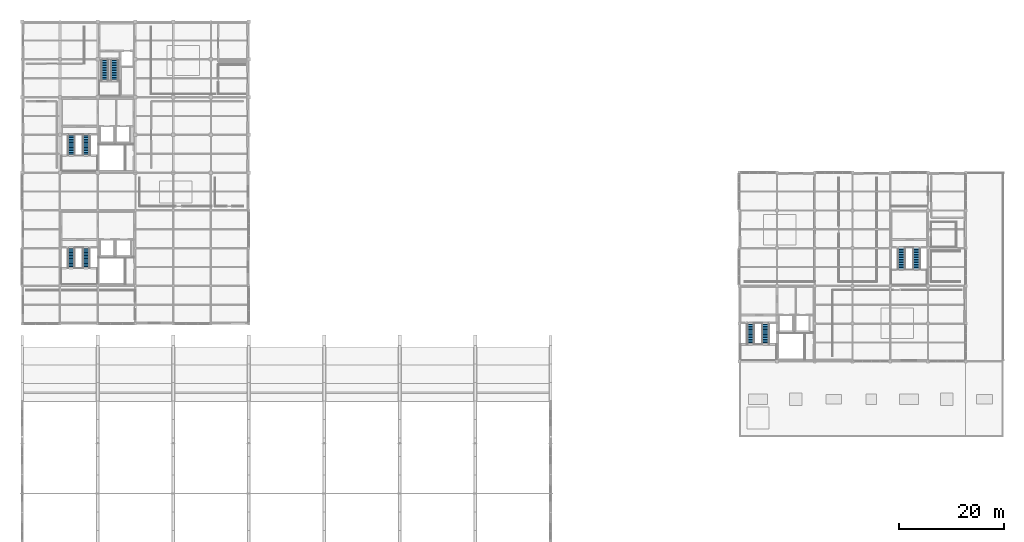
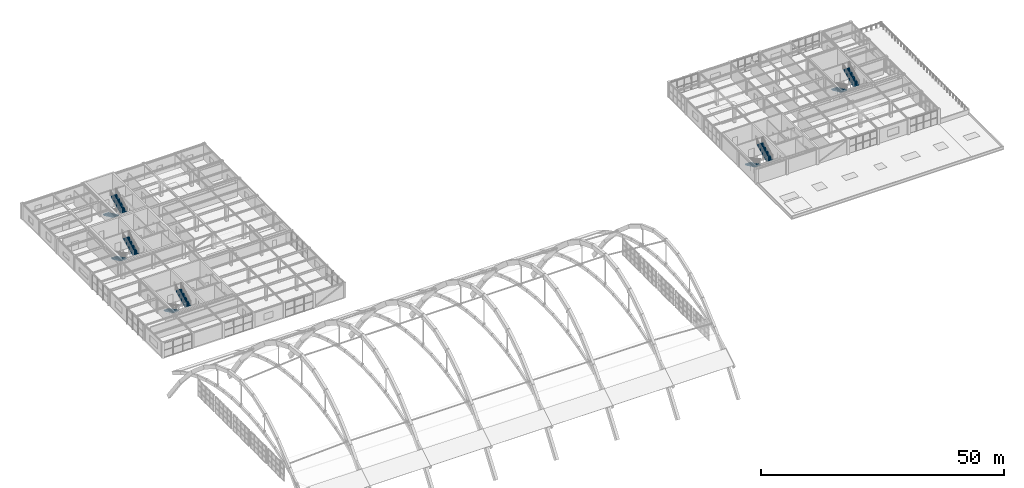
# One storey, part 61 of 64: 10 stair flights, 5 elements without a shape of their own.
"""IFC4 building model written with IfcOpenShell, lengths in metres."""

from ifc_helpers import new_model, si_unit, direction, frame, origin, place, context, subcontext, project, spatial, polyline, outline, extrude, material, layer, layer_set, type_object, element, aggregate, save


model = new_model("IFC4")

# Units and contexts
model_context = context("Model", 3, precision=1e-05, world=origin(), true_north=direction((0.0, 1.0)))
body_context = subcontext(model_context, "Body", "Model", "MODEL_VIEW")
ifc_project = project(units=[si_unit("LENGTHUNIT", "METRE"), si_unit("AREAUNIT", "SQUARE_METRE"), si_unit("VOLUMEUNIT", "CUBIC_METRE"), si_unit("PLANEANGLEUNIT", "RADIAN"), si_unit("MASSUNIT", "GRAM", prefix="KILO")], contexts=[model_context])

# Site, building, storey
site_placement = place(None, origin())
site = spatial("IfcSite", under=ifc_project, at=site_placement, CompositionType="ELEMENT")
building_placement = place(site_placement, origin())
building = spatial("IfcBuilding", under=site, at=building_placement, Name="Leyfeld Transit Interchange", CompositionType="ELEMENT")
storey_placement = place(building_placement, frame((0.0, 0.0, 9.60009765625)))
storey = spatial("IfcBuildingStorey", under=building, at=storey_placement, Name="L02", CompositionType="ELEMENT", Elevation=9.60009765625)

# Stair, stair flights
ifc_material = material(Name="Precast concrete C40/50", Category="concrete")
stair_type_1 = type_object("IfcStairType", Name="STR-HT-150x300", PredefinedType="HALF_TURN_STAIR", material=ifc_material)
stair_1_placement = place(storey_placement, origin())
stair_1 = element("IfcStair", 1, at=stair_1_placement, inside=storey, type_object=stair_type_1, Name="Exit Stair ST-03 (L02 to L03)", PredefinedType="HALF_TURN_STAIR")
ifc_layer_1 = layer(ifc_material, 0.199951171875, Name="Precast concrete C40/50")
ifc_layer_set_1 = layer_set([ifc_layer_1], Name="Precast concrete C40/50")
stair_flight_type_1 = type_object("IfcStairFlightType", Name="FLT-1350", PredefinedType="STRAIGHT", material=ifc_layer_set_1)
stair_flight_1_placement = place(storey_placement, frame((9.35009765625, 79.300048828125, 0.0), z_axis=(0.0, 0.0, 1.0), x_axis=(0.0, -1.0, 0.0)))
stair_flight_1 = element("IfcStairFlight", 2, at=stair_flight_1_placement, type_object=stair_flight_type_1, Name="Stair ST-03 L02 Flight 1", NumberOfRisers=14, NumberOfTreads=13, PredefinedType="STRAIGHT", RiserHeight=0.15, TreadLength=0.3, context=body_context, shape_type="SweptSolid", body=[
    extrude(outline(polyline([(0.0, 0.0), (0.0, 0.14990234375), (0.300048828125, 0.14990234375), (0.300048828125, 0.300048828125), (0.60009765625, 0.300048828125), (0.60009765625, 0.449951171875), (0.89990234375, 0.449951171875), (0.89990234375, 0.60009765625), (1.199951171875, 0.60009765625), (1.199951171875, 0.75), (1.5, 0.75), (1.5, 0.89990234375), (1.800048828125, 0.89990234375), (1.800048828125, 1.050048828125), (2.10009765625, 1.050048828125), (2.10009765625, 1.199951171875), (2.39990234375, 1.199951171875), (2.39990234375, 1.35009765625), (2.699951171875, 1.35009765625), (2.699951171875, 1.5), (3.0, 1.5), (3.0, 1.64990234375), (3.300048828125, 1.64990234375), (3.300048828125, 1.800048828125), (3.60009765625, 1.800048828125), (3.60009765625, 1.949951171875), (3.89990234375, 1.949951171875), (3.89990234375, 2.10009765625), (3.89990234375, 1.7265625), (0.447021484375, 0.0), (0.0, 0.0)])), frame((0.0, 0.675048828125, 0.0), z_axis=(0.0, -1.0, 0.0), x_axis=(1.0, 0.0, 0.0)), (0.0, 0.0, 1.0), 1.35009765625),
])
stair_flight_2_placement = place(storey_placement, frame((12.25, 75.39990234375, 2.099853515625), z_axis=(0.0, 0.0, 1.0), x_axis=(0.0, 1.0, 0.0)))
stair_flight_2 = element("IfcStairFlight", 3, at=stair_flight_2_placement, type_object=stair_flight_type_1, Name="Stair ST-03 L02 Flight 2", NumberOfRisers=14, NumberOfTreads=13, PredefinedType="STRAIGHT", RiserHeight=0.15, TreadLength=0.3, context=body_context, shape_type="SweptSolid", body=[
    extrude(outline(polyline([(0.0, 0.0), (0.0, 0.14990234375), (0.300048828125, 0.14990234375), (0.300048828125, 0.300048828125), (0.60009765625, 0.300048828125), (0.60009765625, 0.449951171875), (0.89990234375, 0.449951171875), (0.89990234375, 0.60009765625), (1.199951171875, 0.60009765625), (1.199951171875, 0.75), (1.5, 0.75), (1.5, 0.89990234375), (1.800048828125, 0.89990234375), (1.800048828125, 1.050048828125), (2.10009765625, 1.050048828125), (2.10009765625, 1.199951171875), (2.39990234375, 1.199951171875), (2.39990234375, 1.35009765625), (2.699951171875, 1.35009765625), (2.699951171875, 1.5), (3.0, 1.5), (3.0, 1.64990234375), (3.300048828125, 1.64990234375), (3.300048828125, 1.800048828125), (3.60009765625, 1.800048828125), (3.60009765625, 1.949951171875), (3.89990234375, 1.949951171875), (3.89990234375, 2.10009765625), (3.89990234375, 1.7265625), (0.447021484375, 0.0), (0.0, 0.0)])), frame((0.0, 0.675048828125, 0.0), z_axis=(0.0, -1.0, 0.0), x_axis=(1.0, 0.0, 0.0)), (0.0, 0.0, 1.0), 1.35009765625),
])
aggregate(stair_1, [stair_flight_1, stair_flight_2])

stair_type_2 = type_object("IfcStairType", Name="STR-HT-150x310", PredefinedType="HALF_TURN_STAIR", material=ifc_material)
stair_2_placement = place(storey_placement, origin())
stair_2 = element("IfcStair", 4, at=stair_2_placement, inside=storey, type_object=stair_type_2, Name="Exit Stair ST-01 (L02 to L03)", PredefinedType="HALF_TURN_STAIR")
ifc_layer_2 = layer(ifc_material, 0.199951171875, Name="Precast concrete C40/50")
ifc_layer_set_2 = layer_set([ifc_layer_2], Name="Precast concrete C40/50")
stair_flight_type_2 = type_object("IfcStairFlightType", Name="FLT-1400", PredefinedType="STRAIGHT", material=ifc_layer_set_2)
stair_flight_3_placement = place(storey_placement, frame((9.35009765625, 100.89990234375, 0.0), z_axis=(0.0, 0.0, 1.0), x_axis=(0.0, -1.0, 0.0)))
stair_flight_3 = element("IfcStairFlight", 5, at=stair_flight_3_placement, type_object=stair_flight_type_2, Name="Stair ST-01 L02 Flight 1", NumberOfRisers=14, NumberOfTreads=13, PredefinedType="STRAIGHT", RiserHeight=0.15, TreadLength=0.31, context=body_context, shape_type="SweptSolid", body=[
    extrude(outline(polyline([(0.0, 0.0), (0.0, 0.14990234375), (0.31005859375, 0.14990234375), (0.31005859375, 0.300048828125), (0.6201171875, 0.300048828125), (0.6201171875, 0.449951171875), (0.929931640625, 0.449951171875), (0.929931640625, 0.60009765625), (1.239990234375, 0.60009765625), (1.239990234375, 0.75), (1.550048828125, 0.75), (1.550048828125, 0.89990234375), (1.860107421875, 0.89990234375), (1.860107421875, 1.050048828125), (2.169921875, 1.050048828125), (2.169921875, 1.199951171875), (2.47998046875, 1.199951171875), (2.47998046875, 1.35009765625), (2.7900390625, 1.35009765625), (2.7900390625, 1.5), (3.10009765625, 1.5), (3.10009765625, 1.64990234375), (3.409912109375, 1.64990234375), (3.409912109375, 1.800048828125), (3.719970703125, 1.800048828125), (3.719970703125, 1.949951171875), (4.030029296875, 1.949951171875), (4.030029296875, 2.10009765625), (4.030029296875, 1.727783203125), (0.458984375, 0.0), (0.0, 0.0)])), frame((0.0, 0.699951171875, 0.0), z_axis=(0.0, -1.0, 0.0), x_axis=(1.0, 0.0, 0.0)), (0.0, 0.0, 1.0), 1.39990234375),
])
stair_flight_4_placement = place(storey_placement, frame((12.25, 96.8701171875, 2.099853515625), z_axis=(0.0, 0.0, 1.0), x_axis=(0.0, 1.0, 0.0)))
stair_flight_4 = element("IfcStairFlight", 6, at=stair_flight_4_placement, type_object=stair_flight_type_2, Name="Stair ST-01 L02 Flight 2", NumberOfRisers=14, NumberOfTreads=13, PredefinedType="STRAIGHT", RiserHeight=0.15, TreadLength=0.31, context=body_context, shape_type="SweptSolid", body=[
    extrude(outline(polyline([(0.0, 0.0), (0.0, 0.14990234375), (0.31005859375, 0.14990234375), (0.31005859375, 0.300048828125), (0.6201171875, 0.300048828125), (0.6201171875, 0.449951171875), (0.929931640625, 0.449951171875), (0.929931640625, 0.60009765625), (1.239990234375, 0.60009765625), (1.239990234375, 0.75), (1.550048828125, 0.75), (1.550048828125, 0.89990234375), (1.860107421875, 0.89990234375), (1.860107421875, 1.050048828125), (2.169921875, 1.050048828125), (2.169921875, 1.199951171875), (2.47998046875, 1.199951171875), (2.47998046875, 1.35009765625), (2.7900390625, 1.35009765625), (2.7900390625, 1.5), (3.10009765625, 1.5), (3.10009765625, 1.64990234375), (3.409912109375, 1.64990234375), (3.409912109375, 1.800048828125), (3.719970703125, 1.800048828125), (3.719970703125, 1.949951171875), (4.030029296875, 1.949951171875), (4.030029296875, 2.10009765625), (4.030029296875, 1.727783203125), (0.458984375, 0.0), (0.0, 0.0)])), frame((0.0, 0.699951171875, 0.0), z_axis=(0.0, -1.0, 0.0), x_axis=(1.0, 0.0, 0.0)), (0.0, 0.0, 1.0), 1.39990234375),
])
aggregate(stair_2, [stair_flight_3, stair_flight_4])

stair_type_3 = type_object("IfcStairType", Name="STR-HT-150x320", PredefinedType="HALF_TURN_STAIR", material=ifc_material)
stair_3_placement = place(storey_placement, origin())
stair_3 = element("IfcStair", 7, at=stair_3_placement, inside=storey, type_object=stair_type_3, Name="Exit Stair ST-02 (L02 to L03)", PredefinedType="HALF_TURN_STAIR")
stair_flight_5_placement = place(storey_placement, frame((15.719970703125, 115.300048828125, 0.0), z_axis=(0.0, 0.0, 1.0), x_axis=(0.0, -1.0, 0.0)))
stair_flight_5 = element("IfcStairFlight", 8, at=stair_flight_5_placement, type_object=stair_flight_type_2, Name="Stair ST-02 L02 Flight 1", NumberOfRisers=14, NumberOfTreads=13, PredefinedType="STRAIGHT", RiserHeight=0.15, TreadLength=0.32, context=body_context, shape_type="SweptSolid", body=[
    extrude(outline(polyline([(0.0, 0.0), (0.0, 0.14990234375), (0.320068359375, 0.14990234375), (0.320068359375, 0.300048828125), (0.639892578125, 0.300048828125), (0.639892578125, 0.449951171875), (0.9599609375, 0.449951171875), (0.9599609375, 0.60009765625), (1.280029296875, 0.60009765625), (1.280029296875, 0.75), (1.60009765625, 0.75), (1.60009765625, 0.89990234375), (1.919921875, 0.89990234375), (1.919921875, 1.050048828125), (2.239990234375, 1.050048828125), (2.239990234375, 1.199951171875), (2.56005859375, 1.199951171875), (2.56005859375, 1.35009765625), (2.8798828125, 1.35009765625), (2.8798828125, 1.5), (3.199951171875, 1.5), (3.199951171875, 1.64990234375), (3.52001953125, 1.64990234375), (3.52001953125, 1.800048828125), (3.840087890625, 1.800048828125), (3.840087890625, 1.949951171875), (4.159912109375, 1.949951171875), (4.159912109375, 2.10009765625), (4.159912109375, 1.729248046875), (0.47119140625, 0.0), (0.0, 0.0)])), frame((0.0, 0.699951171875, 0.0), z_axis=(0.0, -1.0, 0.0), x_axis=(1.0, 0.0, 0.0)), (0.0, 0.0, 1.0), 1.39990234375),
])
stair_flight_6_placement = place(storey_placement, frame((17.6201171875, 111.139892578125, 2.099853515625), z_axis=(0.0, 0.0, 1.0), x_axis=(0.0, 1.0, 0.0)))
stair_flight_6 = element("IfcStairFlight", 9, at=stair_flight_6_placement, type_object=stair_flight_type_2, Name="Stair ST-02 L02 Flight 2", NumberOfRisers=14, NumberOfTreads=13, PredefinedType="STRAIGHT", RiserHeight=0.15, TreadLength=0.32, context=body_context, shape_type="SweptSolid", body=[
    extrude(outline(polyline([(0.0, 0.0), (0.0, 0.14990234375), (0.320068359375, 0.14990234375), (0.320068359375, 0.300048828125), (0.639892578125, 0.300048828125), (0.639892578125, 0.449951171875), (0.9599609375, 0.449951171875), (0.9599609375, 0.60009765625), (1.280029296875, 0.60009765625), (1.280029296875, 0.75), (1.60009765625, 0.75), (1.60009765625, 0.89990234375), (1.919921875, 0.89990234375), (1.919921875, 1.050048828125), (2.239990234375, 1.050048828125), (2.239990234375, 1.199951171875), (2.56005859375, 1.199951171875), (2.56005859375, 1.35009765625), (2.8798828125, 1.35009765625), (2.8798828125, 1.5), (3.199951171875, 1.5), (3.199951171875, 1.64990234375), (3.52001953125, 1.64990234375), (3.52001953125, 1.800048828125), (3.840087890625, 1.800048828125), (3.840087890625, 1.949951171875), (4.159912109375, 1.949951171875), (4.159912109375, 2.10009765625), (4.159912109375, 1.729248046875), (0.47119140625, 0.0), (0.0, 0.0)])), frame((0.0, 0.699951171875, 0.0), z_axis=(0.0, -1.0, 0.0), x_axis=(1.0, 0.0, 0.0)), (0.0, 0.0, 1.0), 1.39990234375),
])
aggregate(stair_3, [stair_flight_5, stair_flight_6])

stair_4_placement = place(storey_placement, origin())
stair_4 = element("IfcStair", 10, at=stair_4_placement, inside=storey, type_object=stair_type_2, Name="Exit Stair ST-04 (L02 to L03)", PredefinedType="HALF_TURN_STAIR")
stair_flight_7_placement = place(storey_placement, frame((138.949951171875, 64.89990234375, 0.0), z_axis=(0.0, 0.0, 1.0), x_axis=(0.0, -1.0, 0.0)))
stair_flight_7 = element("IfcStairFlight", 11, at=stair_flight_7_placement, type_object=stair_flight_type_2, Name="Stair ST-04 L02 Flight 1", NumberOfRisers=14, NumberOfTreads=13, PredefinedType="STRAIGHT", RiserHeight=0.15, TreadLength=0.31, context=body_context, shape_type="SweptSolid", body=[
    extrude(outline(polyline([(0.0, 0.0), (0.0, 0.14990234375), (0.31005859375, 0.14990234375), (0.31005859375, 0.300048828125), (0.6201171875, 0.300048828125), (0.6201171875, 0.449951171875), (0.929931640625, 0.449951171875), (0.929931640625, 0.60009765625), (1.239990234375, 0.60009765625), (1.239990234375, 0.75), (1.550048828125, 0.75), (1.550048828125, 0.89990234375), (1.860107421875, 0.89990234375), (1.860107421875, 1.050048828125), (2.169921875, 1.050048828125), (2.169921875, 1.199951171875), (2.47998046875, 1.199951171875), (2.47998046875, 1.35009765625), (2.7900390625, 1.35009765625), (2.7900390625, 1.5), (3.10009765625, 1.5), (3.10009765625, 1.64990234375), (3.409912109375, 1.64990234375), (3.409912109375, 1.800048828125), (3.719970703125, 1.800048828125), (3.719970703125, 1.949951171875), (4.030029296875, 1.949951171875), (4.030029296875, 2.10009765625), (4.030029296875, 1.727783203125), (0.458984375, 0.0), (0.0, 0.0)])), frame((0.0, 0.699951171875, 0.0), z_axis=(0.0, -1.0, 0.0), x_axis=(1.0, 0.0, 0.0)), (0.0, 0.0, 1.0), 1.39990234375),
])
stair_flight_8_placement = place(storey_placement, frame((141.85009765625, 60.8701171875, 2.099853515625), z_axis=(0.0, 0.0, 1.0), x_axis=(0.0, 1.0, 0.0)))
stair_flight_8 = element("IfcStairFlight", 12, at=stair_flight_8_placement, type_object=stair_flight_type_2, Name="Stair ST-04 L02 Flight 2", NumberOfRisers=14, NumberOfTreads=13, PredefinedType="STRAIGHT", RiserHeight=0.15, TreadLength=0.31, context=body_context, shape_type="SweptSolid", body=[
    extrude(outline(polyline([(0.0, 0.0), (0.0, 0.14990234375), (0.31005859375, 0.14990234375), (0.31005859375, 0.300048828125), (0.6201171875, 0.300048828125), (0.6201171875, 0.449951171875), (0.929931640625, 0.449951171875), (0.929931640625, 0.60009765625), (1.239990234375, 0.60009765625), (1.239990234375, 0.75), (1.550048828125, 0.75), (1.550048828125, 0.89990234375), (1.860107421875, 0.89990234375), (1.860107421875, 1.050048828125), (2.169921875, 1.050048828125), (2.169921875, 1.199951171875), (2.47998046875, 1.199951171875), (2.47998046875, 1.35009765625), (2.7900390625, 1.35009765625), (2.7900390625, 1.5), (3.10009765625, 1.5), (3.10009765625, 1.64990234375), (3.409912109375, 1.64990234375), (3.409912109375, 1.800048828125), (3.719970703125, 1.800048828125), (3.719970703125, 1.949951171875), (4.030029296875, 1.949951171875), (4.030029296875, 2.10009765625), (4.030029296875, 1.727783203125), (0.458984375, 0.0), (0.0, 0.0)])), frame((0.0, 0.699951171875, 0.0), z_axis=(0.0, -1.0, 0.0), x_axis=(1.0, 0.0, 0.0)), (0.0, 0.0, 1.0), 1.39990234375),
])
aggregate(stair_4, [stair_flight_7, stair_flight_8])

stair_5_placement = place(storey_placement, origin())
stair_5 = element("IfcStair", 13, at=stair_5_placement, inside=storey, type_object=stair_type_3, Name="Exit Stair ST-05 (L02 to L03)", PredefinedType="HALF_TURN_STAIR")
stair_flight_9_placement = place(storey_placement, frame((167.75, 79.300048828125, 0.0), z_axis=(0.0, 0.0, 1.0), x_axis=(0.0, -1.0, 0.0)))
stair_flight_9 = element("IfcStairFlight", 14, at=stair_flight_9_placement, type_object=stair_flight_type_2, Name="Stair ST-05 L02 Flight 1", NumberOfRisers=14, NumberOfTreads=13, PredefinedType="STRAIGHT", RiserHeight=0.15, TreadLength=0.32, context=body_context, shape_type="SweptSolid", body=[
    extrude(outline(polyline([(0.0, 0.0), (0.0, 0.14990234375), (0.320068359375, 0.14990234375), (0.320068359375, 0.300048828125), (0.639892578125, 0.300048828125), (0.639892578125, 0.449951171875), (0.9599609375, 0.449951171875), (0.9599609375, 0.60009765625), (1.280029296875, 0.60009765625), (1.280029296875, 0.75), (1.60009765625, 0.75), (1.60009765625, 0.89990234375), (1.919921875, 0.89990234375), (1.919921875, 1.050048828125), (2.239990234375, 1.050048828125), (2.239990234375, 1.199951171875), (2.56005859375, 1.199951171875), (2.56005859375, 1.35009765625), (2.8798828125, 1.35009765625), (2.8798828125, 1.5), (3.199951171875, 1.5), (3.199951171875, 1.64990234375), (3.52001953125, 1.64990234375), (3.52001953125, 1.800048828125), (3.840087890625, 1.800048828125), (3.840087890625, 1.949951171875), (4.159912109375, 1.949951171875), (4.159912109375, 2.10009765625), (4.159912109375, 1.729248046875), (0.47119140625, 0.0), (0.0, 0.0)])), frame((0.0, 0.699951171875, 0.0), z_axis=(0.0, -1.0, 0.0), x_axis=(1.0, 0.0, 0.0)), (0.0, 0.0, 1.0), 1.39990234375),
])
stair_flight_10_placement = place(storey_placement, frame((170.64990234375, 75.139892578125, 2.099853515625), z_axis=(0.0, 0.0, 1.0), x_axis=(0.0, 1.0, 0.0)))
stair_flight_10 = element("IfcStairFlight", 15, at=stair_flight_10_placement, type_object=stair_flight_type_2, Name="Stair ST-05 L02 Flight 2", NumberOfRisers=14, NumberOfTreads=13, PredefinedType="STRAIGHT", RiserHeight=0.15, TreadLength=0.32, context=body_context, shape_type="SweptSolid", body=[
    extrude(outline(polyline([(0.0, 0.0), (0.0, 0.14990234375), (0.320068359375, 0.14990234375), (0.320068359375, 0.300048828125), (0.639892578125, 0.300048828125), (0.639892578125, 0.449951171875), (0.9599609375, 0.449951171875), (0.9599609375, 0.60009765625), (1.280029296875, 0.60009765625), (1.280029296875, 0.75), (1.60009765625, 0.75), (1.60009765625, 0.89990234375), (1.919921875, 0.89990234375), (1.919921875, 1.050048828125), (2.239990234375, 1.050048828125), (2.239990234375, 1.199951171875), (2.56005859375, 1.199951171875), (2.56005859375, 1.35009765625), (2.8798828125, 1.35009765625), (2.8798828125, 1.5), (3.199951171875, 1.5), (3.199951171875, 1.64990234375), (3.52001953125, 1.64990234375), (3.52001953125, 1.800048828125), (3.840087890625, 1.800048828125), (3.840087890625, 1.949951171875), (4.159912109375, 1.949951171875), (4.159912109375, 2.10009765625), (4.159912109375, 1.729248046875), (0.47119140625, 0.0), (0.0, 0.0)])), frame((0.0, 0.699951171875, 0.0), z_axis=(0.0, -1.0, 0.0), x_axis=(1.0, 0.0, 0.0)), (0.0, 0.0, 1.0), 1.39990234375),
])
aggregate(stair_5, [stair_flight_9, stair_flight_10])

save(model, "model.ifc")
